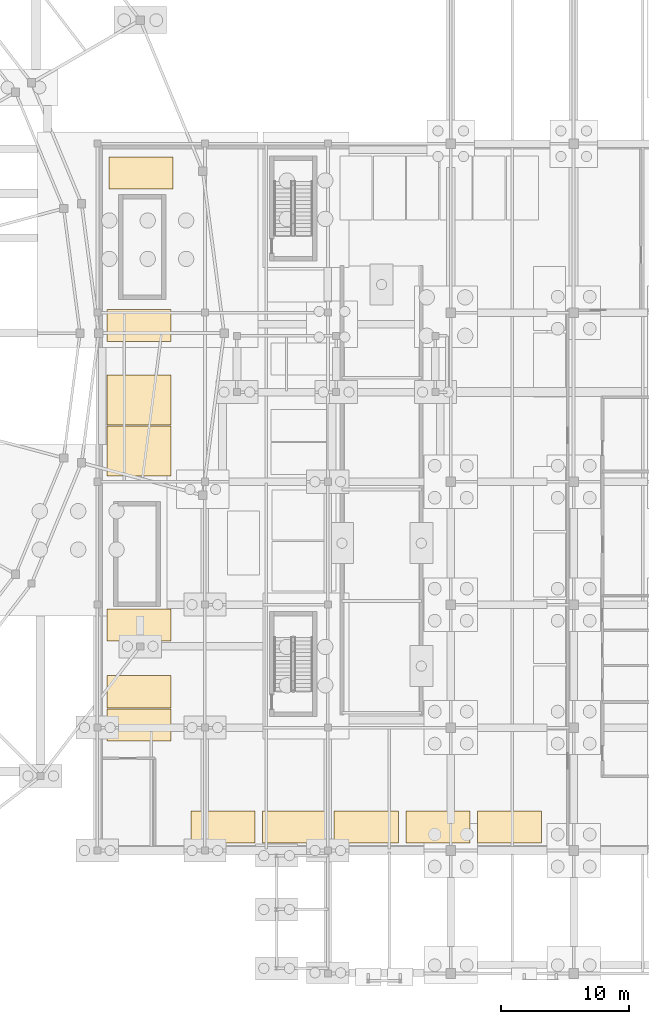
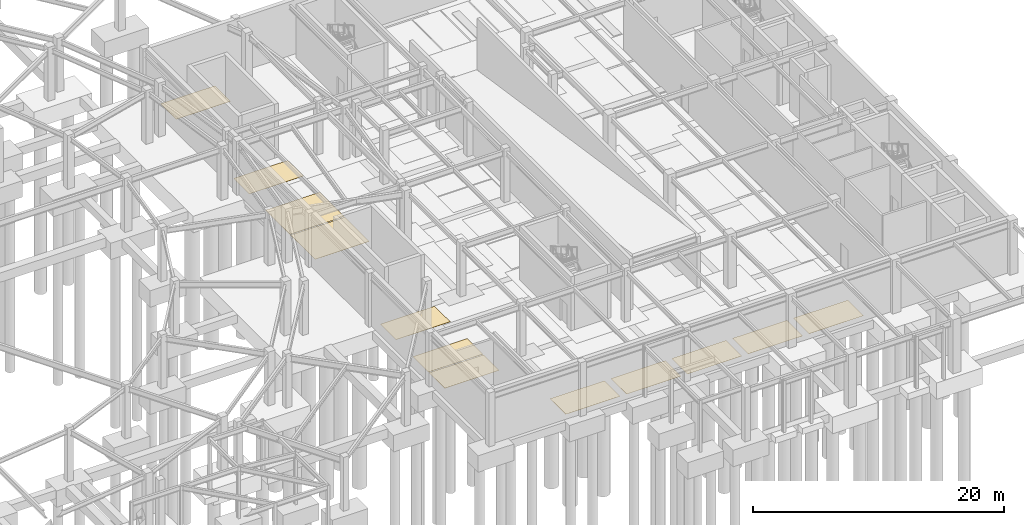
# One storey, part 50 of 55: 12 coverings.
"""IFC4 building model written with IfcOpenShell, lengths in metres."""

from ifc_helpers import new_model, si_unit, direction, frame, origin, origin_2d, place, context, subcontext, project, spatial, rectangle, extrude, material, layer, layer_set, type_object, element, save


model = new_model("IFC4")

# Units and contexts
model_context = context("Model", 3, precision=1e-05, world=origin(), true_north=direction((0.0, 1.0)))
body_context = subcontext(model_context, "Body", "Model", "MODEL_VIEW")
ifc_project = project(units=[si_unit("LENGTHUNIT", "METRE"), si_unit("AREAUNIT", "SQUARE_METRE"), si_unit("VOLUMEUNIT", "CUBIC_METRE"), si_unit("PLANEANGLEUNIT", "RADIAN"), si_unit("MASSUNIT", "GRAM", prefix="KILO")], contexts=[model_context])

# Site, building, storey
site_placement = place(None, origin())
site = spatial("IfcSite", under=ifc_project, at=site_placement, CompositionType="ELEMENT")
building_placement = place(site_placement, origin())
building = spatial("IfcBuilding", under=site, at=building_placement, Name="Almandine Court Research Institute", CompositionType="ELEMENT")
storey_placement = place(building_placement, frame((0.0, 0.0, -5.25)))
storey = spatial("IfcBuildingStorey", under=building, at=storey_placement, Name="B1", CompositionType="ELEMENT", Elevation=-5.25)

# Coverings
ifc_material_1 = material(Name="Accessible Wheelchair Parking Bay Marking")
ifc_layer_1 = layer(ifc_material_1, 0.010009765625)
ifc_layer_set_1 = layer_set([ifc_layer_1], Name="Accessible Wheelchair Parking Bay Marking")
covering_type_1 = type_object("IfcCoveringType", Name="Cov-PARK-ACC", PredefinedType="FLOORING", material=ifc_layer_set_1)
for number, where, z_axis, x_axis, name in (
    (1, (129.25, 46.800048828125, 0.0009765625), (0.0, 0.0, 1.0), (0.0, 1.0, 0.0), "Accessible Parking Bay A01"),
    (2, (129.25, 50.800048828125, 0.0009765625), (0.0, 0.0, 1.0), (0.0, 1.0, 0.0), "Accessible Parking Bay A02"),
):
    element("IfcCovering", number, at=place(storey_placement, frame(where, z_axis=z_axis, x_axis=x_axis)), inside=storey, type_object=covering_type_1, Name=name, PredefinedType="FLOORING", context=body_context, shape_type="SweptSolid", body=[
        extrude(rectangle(XDim=3.89990234375, YDim=5.0, at=origin_2d()), origin(), (0.0, 0.0, 1.0), 0.010009765625),
    ])
ifc_material_2 = material(Name="Resin Traffic-Coated Car Park Stall Marking")
ifc_layer_2 = layer(ifc_material_2, 0.010009765625)
ifc_layer_set_2 = layer_set([ifc_layer_2], Name="Resin Traffic-Coated Car Park Stall Marking")
covering_type_2 = type_object("IfcCoveringType", Name="Cov-PARK-STD", PredefinedType="FLOORING", material=ifc_layer_set_2)
for number, where, z_axis, x_axis, name in (
    (3, (129.25, 25.39990234375, 0.0009765625), (0.0, 0.0, 1.0), (1.0, 0.0, 0.0), "Parking Bay 01"),
    (4, (129.25, 28.0, 0.0009765625), (0.0, 0.0, 1.0), (1.0, 0.0, 0.0), "Parking Bay 02"),
    (5, (129.25, 33.199951171875, 0.0009765625), (0.0, 0.0, 1.0), (1.0, 0.0, 0.0), "Parking Bay 03"),
    (6, (129.25, 56.60009765625, 0.0009765625), (0.0, 0.0, 1.0), (1.0, 0.0, 0.0), "Parking Bay 04"),
    (7, (129.39990234375, 68.5, 0.0009765625), (0.0, 0.0, 1.0), (1.0, 0.0, 0.0), "Parking Bay 06"),
    (8, (135.800048828125, 17.449951171875, 0.0009765625), (0.0, 0.0, 1.0), (1.0, 0.0, 0.0), "Parking Bay 10"),
    (9, (141.39990234375, 17.449951171875, 0.0009765625), (0.0, 0.0, 1.0), (1.0, 0.0, 0.0), "Parking Bay 11"),
    (10, (147.0, 17.449951171875, 0.0009765625), (0.0, 0.0, 1.0), (1.0, 0.0, 0.0), "Parking Bay 12"),
    (11, (152.60009765625, 17.449951171875, 0.0009765625), (0.0, 0.0, 1.0), (1.0, 0.0, 0.0), "Parking Bay 13"),
    (12, (158.199951171875, 17.449951171875, 0.0009765625), (0.0, 0.0, 1.0), (1.0, 0.0, 0.0), "Parking Bay 14"),
):
    element("IfcCovering", number, at=place(storey_placement, frame(where, z_axis=z_axis, x_axis=x_axis)), inside=storey, type_object=covering_type_2, Name=name, PredefinedType="FLOORING", context=body_context, shape_type="SweptSolid", body=[
        extrude(rectangle(XDim=5.0, YDim=2.5, at=origin_2d()), origin(), (0.0, 0.0, 1.0), 0.010009765625),
    ])

save(model, "model.ifc")
